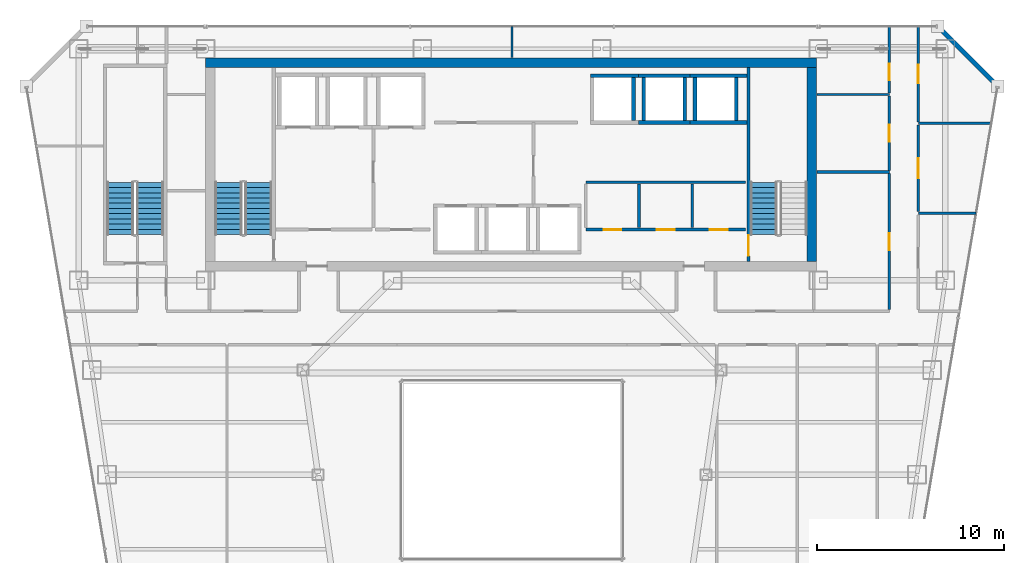
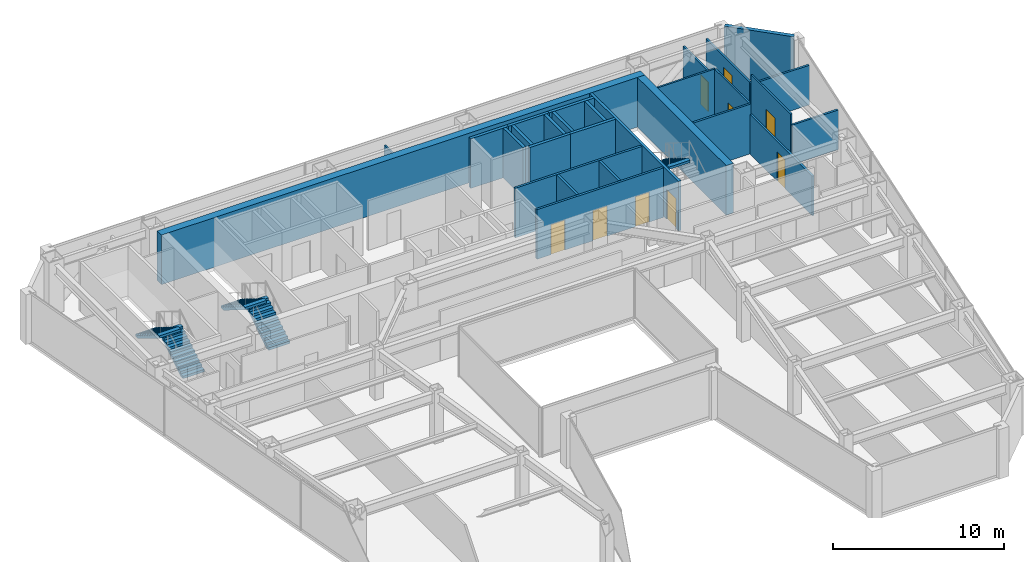
# One storey, part 32 of 36: 28 walls, 9 doors, 5 stair flights, 9 openings, 3 elements without a shape of their own.
"""IFC4 building model written with IfcOpenShell, lengths in metres."""

from ifc_helpers import new_model, si_unit, direction, frame, frame_2d, origin, place, context, subcontext, project, spatial, polyline, rectangle, outline, extrude, material, layer, layer_set, type_object, element, fill, aggregate, save


model = new_model("IFC4")

# Units and contexts
model_context = context("Model", 3, precision=1e-05, world=origin(), true_north=direction((0.0, 1.0)))
body_context = subcontext(model_context, "Body", "Model", "MODEL_VIEW")
ifc_project = project(units=[si_unit("LENGTHUNIT", "METRE"), si_unit("AREAUNIT", "SQUARE_METRE"), si_unit("VOLUMEUNIT", "CUBIC_METRE"), si_unit("PLANEANGLEUNIT", "RADIAN"), si_unit("MASSUNIT", "GRAM", prefix="KILO")], contexts=[model_context])

# Site, building, storey
site_placement = place(None, origin())
site = spatial("IfcSite", under=ifc_project, at=site_placement, CompositionType="ELEMENT")
building_placement = place(site_placement, origin())
building = spatial("IfcBuilding", under=site, at=building_placement, Name="Saevonmaru Cultural Tower", CompositionType="ELEMENT")
storey_placement = place(building_placement, frame((0.0, 0.0, 171.39990234375)))
storey = spatial("IfcBuildingStorey", under=building, at=storey_placement, Name="L38", CompositionType="ELEMENT", Elevation=171.39990234375)

# Walls
ifc_material_1 = material(Name="Concrete C60/75", Category="concrete")
ifc_layer_1 = layer(ifc_material_1, 0.5, Name="Concrete C60/75")
ifc_layer_set_1 = layer_set([ifc_layer_1], Name="Concrete C60/75")
wall_type_1 = type_object("IfcWallType", Name="WL-CORE-500", PredefinedType="SHEAR", material=ifc_layer_set_1)
wall_1_placement = place(storey_placement, frame((13.60009765625, 54.050048828125, 0.0), z_axis=(0.0, 0.0, 1.0), x_axis=(1.0, 0.0, 0.0)))
element("IfcWall", 1, at=wall_1_placement, inside=storey, type_object=wall_type_1, Name="L38 Tower RC core shear wall N", PredefinedType="SHEAR", context=body_context, shape_type="SweptSolid", body=[
    extrude(rectangle(XDim=32.699951171875, YDim=0.5, at=frame_2d((16.35009765625, 0.0))), origin(), (0.0, 0.0, 1.0), 3.550048828125),
])
wall_2_placement = place(storey_placement, frame((46.050048828125, 43.39990234375, 0.0), z_axis=(0.0, 0.0, 1.0), x_axis=(0.0, 1.0, 0.0)))
element("IfcWall", 2, at=wall_2_placement, inside=storey, type_object=wall_type_1, Name="L38 Tower RC core shear wall E", PredefinedType="SHEAR", context=body_context, shape_type="SweptSolid", body=[
    extrude(rectangle(XDim=10.400146484375, YDim=0.5, at=frame_2d((5.2001953125, 0.0))), origin(), (0.0, 0.0, 1.0), 3.550048828125),
])

# Wall, openings, doors
ifc_material_2 = material(Name="Gypsum Fireboard Partition", Category="gypsum")
ifc_layer_2 = layer(ifc_material_2, 0.14990234375, Name="Gypsum Fireboard Partition")
ifc_layer_set_2 = layer_set([ifc_layer_2], Name="Gypsum Fireboard Partition")
wall_type_2 = type_object("IfcWallType", Name="WL-CORE-PART-150", PredefinedType="PARTITIONING", material=ifc_layer_set_2)
wall_3_placement = place(storey_placement, frame((33.949951171875, 45.1201171875, 0.0), z_axis=(0.0, 0.0, 1.0), x_axis=(1.0, 0.0, 0.0)))
wall_3 = element("IfcWall", 3, at=wall_3_placement, inside=storey, type_object=wall_type_2, Name="L38 Core Utility South Wall", PredefinedType="PARTITIONING", context=body_context, shape_type="SweptSolid", body=[
    extrude(rectangle(XDim=8.550048828125, YDim=0.14990234375, at=frame_2d((4.27490234375, 0.0))), origin(), (0.0, 0.0, 1.0), 3.550048828125),
])
opening_1_placement = place(wall_3_placement, frame((0.949951171875, 0.0, 0.0)))
opening_1 = element("IfcOpeningElement", 4, at=opening_1_placement, cuts=wall_3, Name="Opening FD-4", PredefinedType="OPENING", context=body_context, shape_type="SweptSolid", body=[
    extrude(rectangle(XDim=0.949951171875, YDim=2.14990234375, at=frame_2d((0.47509765625, 1.074951171875))), frame((0.0, 0.0849609375, 0.0), z_axis=(0.0, -1.0, 0.0), x_axis=(1.0, 0.0, 0.0)), (0.0, 0.0, 1.0), 0.169921875),
])
opening_2_placement = place(wall_3_placement, frame((3.800048828125, 0.0, 0.0)))
opening_2 = element("IfcOpeningElement", 5, at=opening_2_placement, cuts=wall_3, Name="Opening FD-4", PredefinedType="OPENING", context=body_context, shape_type="SweptSolid", body=[
    extrude(rectangle(XDim=0.949951171875, YDim=2.14990234375, at=frame_2d((0.47509765625, 1.074951171875))), frame((0.0, 0.0849609375, 0.0), z_axis=(0.0, -1.0, 0.0), x_axis=(1.0, 0.0, 0.0)), (0.0, 0.0, 1.0), 0.169921875),
])
opening_3_placement = place(wall_3_placement, frame((6.64990234375, 0.0, 0.0)))
opening_3 = element("IfcOpeningElement", 6, at=opening_3_placement, cuts=wall_3, Name="Opening FD-4", PredefinedType="OPENING", context=body_context, shape_type="SweptSolid", body=[
    extrude(rectangle(XDim=0.949951171875, YDim=2.14990234375, at=frame_2d((0.47509765625, 1.074951171875))), frame((0.0, 0.0849609375, 0.0), z_axis=(0.0, -1.0, 0.0), x_axis=(1.0, 0.0, 0.0)), (0.0, 0.0, 1.0), 0.169921875),
])
ifc_material_3 = material(Name="Satin Bronze Anodised Aluminium", Category="aluminium")
door_type_1 = type_object("IfcDoorType", Name="DR-FD60-950", OperationType="SINGLE_SWING_LEFT", PredefinedType="DOOR", material=ifc_material_3)
door_1_placement = place(opening_1_placement, origin())
door_1 = element("IfcDoor", 7, at=door_1_placement, inside=storey, type_object=door_type_1, Name="L38 Meter Plant Door", OperationType="SINGLE_SWING_LEFT", OverallHeight=2.14990234375, OverallWidth=0.949951171875, PredefinedType="DOOR", context=body_context, shape_type="SweptSolid", body=[
    extrude(rectangle(XDim=0.949951171875, YDim=2.14990234375, at=frame_2d((0.47509765625, 1.074951171875))), frame((0.0, 0.02490234375, 0.0), z_axis=(0.0, -1.0, 0.0), x_axis=(1.0, 0.0, 0.0)), (0.0, 0.0, 1.0), 0.050048828125),
])
fill(opening_1, door_1)
door_2_placement = place(opening_2_placement, origin())
door_2 = element("IfcDoor", 8, at=door_2_placement, inside=storey, type_object=door_type_1, Name="L38 AV Rack Plant Door", OperationType="SINGLE_SWING_LEFT", OverallHeight=2.14990234375, OverallWidth=0.949951171875, PredefinedType="DOOR", context=body_context, shape_type="SweptSolid", body=[
    extrude(rectangle(XDim=0.949951171875, YDim=2.14990234375, at=frame_2d((0.47509765625, 1.074951171875))), frame((0.0, 0.02490234375, 0.0), z_axis=(0.0, -1.0, 0.0), x_axis=(1.0, 0.0, 0.0)), (0.0, 0.0, 1.0), 0.050048828125),
])
fill(opening_2, door_2)
door_3_placement = place(opening_3_placement, origin())
door_3 = element("IfcDoor", 9, at=door_3_placement, inside=storey, type_object=door_type_1, Name="L38 Archive Supply Storage Door", OperationType="SINGLE_SWING_LEFT", OverallHeight=2.14990234375, OverallWidth=0.949951171875, PredefinedType="DOOR", context=body_context, shape_type="SweptSolid", body=[
    extrude(rectangle(XDim=0.949951171875, YDim=2.14990234375, at=frame_2d((0.47509765625, 1.074951171875))), frame((0.0, 0.02490234375, 0.0), z_axis=(0.0, -1.0, 0.0), x_axis=(1.0, 0.0, 0.0)), (0.0, 0.0, 1.0), 0.050048828125),
])
fill(opening_3, door_3)

# Walls
wall_4_placement = place(storey_placement, frame((33.949951171875, 47.64990234375, 0.0), z_axis=(0.0, 0.0, 1.0), x_axis=(1.0, 0.0, 0.0)))
element("IfcWall", 10, at=wall_4_placement, inside=storey, type_object=wall_type_2, Name="L38 Core Utility North Wall", PredefinedType="PARTITIONING", context=body_context, shape_type="SweptSolid", body=[
    extrude(rectangle(XDim=8.550048828125, YDim=0.14990234375, at=frame_2d((4.27490234375, 0.0))), origin(), (0.0, 0.0, 1.0), 3.550048828125),
])
for number, where, z_axis, x_axis, name in (
    (11, (36.800048828125, 45.219970703125, 0.0), (0.0, 0.0, 1.0), (0.0, 1.0, 0.0), "L38 Utility Divider 1"),
    (12, (39.64990234375, 45.219970703125, 0.0), (0.0, 0.0, 1.0), (0.0, 1.0, 0.0), "L38 Utility Divider 2"),
):
    element("IfcWall", number, at=place(storey_placement, frame(where, z_axis=z_axis, x_axis=x_axis)), inside=storey, type_object=wall_type_2, Name=name, PredefinedType="PARTITIONING", context=body_context, shape_type="SweptSolid", body=[
        extrude(rectangle(XDim=2.330078125, YDim=0.14990234375, at=frame_2d((1.1650390625, 0.0))), origin(), (0.0, 0.0, 1.0), 3.550048828125),
    ])
ifc_material_4 = material(Name="Granite-Clad Precast Concrete C40/50", Category="masonry")
ifc_layer_3 = layer(ifc_material_4, 0.260009765625, Name="Granite-Clad Precast Concrete C40/50")
ifc_layer_set_3 = layer_set([ifc_layer_3], Name="Granite-Clad Precast Concrete C40/50")
wall_type_3 = type_object("IfcWallType", Name="WL-EXT-SPANDREL-260", PredefinedType="STANDARD", material=ifc_layer_set_3)
wall_5_placement = place(storey_placement, frame((55.886962890625, 52.9130859375, 0.0), z_axis=(0.0, 0.0, 1.0), x_axis=(-0.707106781187, 0.707106781187, 0.0)))
element("IfcWall", 13, at=wall_5_placement, inside=storey, type_object=wall_type_3, Name="L38 Chamfer Corner Spandrel Wall E9", PredefinedType="STANDARD", context=body_context, shape_type="SweptSolid", body=[
    extrude(rectangle(XDim=4.205810546875, YDim=0.260009765625, at=frame_2d((2.10302734375, 0.0))), origin(), (0.0, 0.0, 1.0), 3.550048828125),
])
ifc_layer_4 = layer(ifc_material_2, 0.1201171875, Name="Gypsum Fireboard Partition")
ifc_layer_set_4 = layer_set([ifc_layer_4], Name="Gypsum Fireboard Partition")
wall_type_4 = type_object("IfcWallType", Name="WL-PART-GYP-120", PredefinedType="PARTITIONING", material=ifc_layer_set_4)
wall_6_placement = place(storey_placement, frame((46.320068359375, 52.35009765625, 0.0), z_axis=(0.0, 0.0, 1.0), x_axis=(1.0, 0.0, 0.0)))
element("IfcWall", 14, at=wall_6_placement, inside=storey, type_object=wall_type_4, Name="L38 North-East Panorama South Wall", PredefinedType="PARTITIONING", context=body_context, shape_type="SweptSolid", body=[
    extrude(rectangle(XDim=3.8798828125, YDim=0.1201171875, at=frame_2d((1.93994140625, 0.0))), origin(), (0.0, 0.0, 1.0), 3.550048828125),
])
wall_7_placement = place(storey_placement, frame((30.0, 54.320068359375, 0.0), z_axis=(0.0, 0.0, 1.0), x_axis=(0.0, 1.0, 0.0)))
element("IfcWall", 15, at=wall_7_placement, inside=storey, type_object=wall_type_4, Name="L38 North Panorama Center Split", PredefinedType="PARTITIONING", context=body_context, shape_type="SweptSolid", body=[
    extrude(rectangle(XDim=1.675048828125, YDim=0.1201171875, at=frame_2d((0.83740234375, 0.0))), origin(), (0.0, 0.0, 1.0), 2.93505859375),
])

# Wall, opening, door
wall_8_placement = place(storey_placement, frame((50.199951171875, 48.2900390625, 0.0), z_axis=(0.0, 0.0, 1.0), x_axis=(0.0, 1.0, 0.0)))
wall_8 = element("IfcWall", 16, at=wall_8_placement, inside=storey, type_object=wall_type_4, Name="L38 Digital Media Classroom Corridor Wall", PredefinedType="PARTITIONING", context=body_context, shape_type="SweptSolid", body=[
    extrude(rectangle(XDim=3.97998046875, YDim=0.1201171875, at=frame_2d((1.989990234375, 0.0))), origin(), (0.0, 0.0, 1.0), 3.550048828125),
])
opening_4_placement = place(wall_8_placement, frame((1.5400390625, 0.0, 0.0)))
opening_4 = element("IfcOpeningElement", 17, at=opening_4_placement, cuts=wall_8, Name="Opening ID-2", PredefinedType="OPENING", context=body_context, shape_type="SweptSolid", body=[
    extrude(rectangle(XDim=0.89990234375, YDim=2.10009765625, at=frame_2d((0.449951171875, 1.050048828125))), frame((0.0, 0.070068359375, 0.0), z_axis=(0.0, -1.0, 0.0), x_axis=(1.0, 0.0, 0.0)), (0.0, 0.0, 1.0), 0.14013671875),
])
ifc_material_5 = material(Name="Acoustic Stained Oak Timber", Category="wood")
door_type_2 = type_object("IfcDoorType", Name="DR-INT-900", OperationType="SINGLE_SWING_RIGHT", PredefinedType="DOOR", material=ifc_material_5)
door_4_placement = place(opening_4_placement, origin())
door_4 = element("IfcDoor", 18, at=door_4_placement, inside=storey, type_object=door_type_2, Name="L38 Digital Media Classroom Door", OperationType="SINGLE_SWING_LEFT", OverallHeight=2.10009765625, OverallWidth=0.89990234375, PredefinedType="DOOR", context=body_context, shape_type="SweptSolid", body=[
    extrude(rectangle(XDim=0.89990234375, YDim=2.10009765625, at=frame_2d((0.449951171875, 1.050048828125))), frame((0.0, 0.02490234375, 0.0), z_axis=(0.0, -1.0, 0.0), x_axis=(1.0, 0.0, 0.0)), (0.0, 0.0, 1.0), 0.050048828125),
])
fill(opening_4, door_4)

wall_9_placement = place(storey_placement, frame((50.199951171875, 52.429931640625, 0.0), z_axis=(0.0, 0.0, 1.0), x_axis=(0.0, 1.0, 0.0)))
wall_9 = element("IfcWall", 19, at=wall_9_placement, inside=storey, type_object=wall_type_4, Name="L38 Design Seminar Classroom Corridor Wall", PredefinedType="PARTITIONING", context=body_context, shape_type="SweptSolid", body=[
    extrude(rectangle(XDim=3.565185546875, YDim=0.1201171875, at=frame_2d((1.78271484375, 0.0))), origin(), (0.0, 0.0, 1.0), 2.93505859375),
])
opening_5_placement = place(wall_9_placement, frame((0.672119140625, 0.0, 0.0)))
opening_5 = element("IfcOpeningElement", 20, at=opening_5_placement, cuts=wall_9, Name="Opening ID-2", PredefinedType="OPENING", context=body_context, shape_type="SweptSolid", body=[
    extrude(rectangle(XDim=0.89990234375, YDim=2.10009765625, at=frame_2d((0.449951171875, 1.050048828125))), frame((0.0, 0.070068359375, 0.0), z_axis=(0.0, -1.0, 0.0), x_axis=(1.0, 0.0, 0.0)), (0.0, 0.0, 1.0), 0.14013671875),
])
door_5_placement = place(opening_5_placement, origin())
door_5 = element("IfcDoor", 21, at=door_5_placement, inside=storey, type_object=door_type_2, Name="L38 Design Seminar Classroom Door", OperationType="SINGLE_SWING_RIGHT", OverallHeight=2.10009765625, OverallWidth=0.89990234375, PredefinedType="DOOR", context=body_context, shape_type="SweptSolid", body=[
    extrude(rectangle(XDim=0.89990234375, YDim=2.10009765625, at=frame_2d((0.449951171875, 1.050048828125))), frame((0.0, 0.02490234375, 0.0), z_axis=(0.0, -1.0, 0.0), x_axis=(1.0, 0.0, 0.0)), (0.0, 0.0, 1.0), 0.050048828125),
])
fill(opening_5, door_5)

wall_10_placement = place(storey_placement, frame((51.75, 46.08740234375, 0.0), z_axis=(0.0, 0.0, 1.0), x_axis=(0.0, 1.0, 0.0)))
wall_10 = element("IfcWall", 22, at=wall_10_placement, inside=storey, type_object=wall_type_4, Name="L38 Cartographic Study Library Corridor Wall", PredefinedType="PARTITIONING", context=body_context, shape_type="SweptSolid", body=[
    extrude(rectangle(XDim=4.625, YDim=0.1201171875, at=frame_2d((2.3125, 0.0))), origin(), (0.0, 0.0, 1.0), 3.550048828125),
])
opening_6_placement = place(wall_10_placement, frame((1.7880859375, 0.0, 0.0)))
opening_6 = element("IfcOpeningElement", 23, at=opening_6_placement, cuts=wall_10, Name="Opening ID-1", PredefinedType="OPENING", context=body_context, shape_type="SweptSolid", body=[
    extrude(rectangle(XDim=1.050048828125, YDim=2.14990234375, at=frame_2d((0.52490234375, 1.074951171875))), frame((0.0, 0.070068359375, 0.0), z_axis=(0.0, -1.0, 0.0), x_axis=(1.0, 0.0, 0.0)), (0.0, 0.0, 1.0), 0.14013671875),
])
door_type_3 = type_object("IfcDoorType", Name="DR-INT-1050", OperationType="SINGLE_SWING_LEFT", PredefinedType="DOOR", material=ifc_material_3)
door_6_placement = place(opening_6_placement, origin())
door_6 = element("IfcDoor", 24, at=door_6_placement, inside=storey, type_object=door_type_3, Name="L38 Cartographic Study Library Door", OperationType="SINGLE_SWING_RIGHT", OverallHeight=2.14990234375, OverallWidth=1.050048828125, PredefinedType="DOOR", context=body_context, shape_type="SweptSolid", body=[
    extrude(rectangle(XDim=1.050048828125, YDim=2.14990234375, at=frame_2d((0.52490234375, 1.074951171875))), frame((0.0, 0.02490234375, 0.0), z_axis=(0.0, -1.0, 0.0), x_axis=(1.0, 0.0, 0.0)), (0.0, 0.0, 1.0), 0.050048828125),
])
fill(opening_6, door_6)

wall_11_placement = place(storey_placement, frame((51.75, 50.887451171875, 0.0), z_axis=(0.0, 0.0, 1.0), x_axis=(0.0, 1.0, 0.0)))
wall_11 = element("IfcWall", 25, at=wall_11_placement, inside=storey, type_object=wall_type_4, Name="L38 Panoramic Salon Restaurant Corridor Wall", PredefinedType="PARTITIONING", context=body_context, shape_type="SweptSolid", body=[
    extrude(rectangle(XDim=5.107666015625, YDim=0.1201171875, at=frame_2d((2.5537109375, 0.0))), origin(), (0.0, 0.0, 1.0), 2.93505859375),
])
opening_7_placement = place(wall_11_placement, frame((2.053955078125, 0.0, 0.0)))
opening_7 = element("IfcOpeningElement", 26, at=opening_7_placement, cuts=wall_11, Name="Opening ID-1B", PredefinedType="OPENING", context=body_context, shape_type="SweptSolid", body=[
    extrude(rectangle(XDim=1.0, YDim=2.14990234375, at=frame_2d((0.5, 1.074951171875))), frame((0.0, 0.070068359375, 0.0), z_axis=(0.0, -1.0, 0.0), x_axis=(1.0, 0.0, 0.0)), (0.0, 0.0, 1.0), 0.14013671875),
])
door_type_4 = type_object("IfcDoorType", Name="DR-INT-1000", OperationType="SINGLE_SWING_RIGHT", PredefinedType="DOOR", material=ifc_material_5)
door_7_placement = place(opening_7_placement, origin())
door_7 = element("IfcDoor", 27, at=door_7_placement, inside=storey, type_object=door_type_4, Name="L38 Panoramic Salon Restaurant Door", OperationType="SINGLE_SWING_LEFT", OverallHeight=2.14990234375, OverallWidth=1.0, PredefinedType="DOOR", context=body_context, shape_type="SweptSolid", body=[
    extrude(rectangle(XDim=1.0, YDim=2.14990234375, at=frame_2d((0.5, 1.074951171875))), frame((0.0, 0.02490234375, 0.0), z_axis=(0.0, -1.0, 0.0), x_axis=(1.0, 0.0, 0.0)), (0.0, 0.0, 1.0), 0.050048828125),
])
fill(opening_7, door_7)

# Walls
ifc_layer_5 = layer(ifc_material_2, 0.135009765625, Name="Gypsum Fireboard Partition")
ifc_layer_set_5 = layer_set([ifc_layer_5], Name="Gypsum Fireboard Partition")
wall_type_5 = type_object("IfcWallType", Name="WL-PART-GYP-135", PredefinedType="PARTITIONING", material=ifc_layer_set_5)
wall_12_placement = place(storey_placement, frame((51.75, 46.0, 0.0), z_axis=(0.0, 0.0, 1.0), x_axis=(1.0, 0.0, 0.0)))
element("IfcWall", 28, at=wall_12_placement, inside=storey, type_object=wall_type_5, Name="L38 NE Studio Divider 1", PredefinedType="PARTITIONING", context=body_context, shape_type="SweptSolid", body=[
    extrude(rectangle(XDim=3.09375, YDim=0.135009765625, at=frame_2d((1.546875, 0.0))), origin(), (0.0, 0.0, 1.0), 2.835205078125),
])
wall_13_placement = place(storey_placement, frame((51.75, 50.800048828125, 0.0), z_axis=(0.0, 0.0, 1.0), x_axis=(1.0, 0.0, 0.0)))
element("IfcWall", 29, at=wall_13_placement, inside=storey, type_object=wall_type_5, Name="L38 NE Studio Divider 2", PredefinedType="PARTITIONING", context=body_context, shape_type="SweptSolid", body=[
    extrude(rectangle(XDim=3.90625, YDim=0.135009765625, at=frame_2d((1.953125, 0.0))), origin(), (0.0, 0.0, 1.0), 2.835205078125),
])
ifc_layer_6 = layer(ifc_material_2, 0.139892578125, Name="Gypsum Fireboard Partition")
ifc_layer_set_6 = layer_set([ifc_layer_6], Name="Gypsum Fireboard Partition")
wall_type_6 = type_object("IfcWallType", Name="WL-PART-WET-140", PredefinedType="PARTITIONING", material=ifc_layer_set_6)
wall_14_placement = place(storey_placement, frame((46.320068359375, 48.199951171875, 0.0), z_axis=(0.0, 0.0, 1.0), x_axis=(1.0, 0.0, 0.0)))
element("IfcWall", 30, at=wall_14_placement, inside=storey, type_object=wall_type_6, Name="L38 Washroom North Wall", PredefinedType="PARTITIONING", context=body_context, shape_type="SweptSolid", body=[
    extrude(rectangle(XDim=3.8798828125, YDim=0.139892578125, at=frame_2d((1.93994140625, 0.0))), origin(), (0.0, 0.0, 1.0), 3.550048828125),
])

# Wall, opening, door
wall_15_placement = place(storey_placement, frame((50.199951171875, 40.840087890625, 0.0), z_axis=(0.0, 0.0, 1.0), x_axis=(0.0, 1.0, 0.0)))
wall_15 = element("IfcWall", 31, at=wall_15_placement, inside=storey, type_object=wall_type_6, Name="L38 Washroom Corridor Wall", PredefinedType="PARTITIONING", context=body_context, shape_type="SweptSolid", body=[
    extrude(rectangle(XDim=7.27001953125, YDim=0.139892578125, at=frame_2d((3.635009765625, 0.0))), origin(), (0.0, 0.0, 1.0), 2.835205078125),
])
opening_8_placement = place(wall_15_placement, frame((3.18505859375, 0.0, 0.0)))
opening_8 = element("IfcOpeningElement", 32, at=opening_8_placement, cuts=wall_15, Name="Opening ID-2", PredefinedType="OPENING", context=body_context, shape_type="SweptSolid", body=[
    extrude(rectangle(XDim=0.89990234375, YDim=2.10009765625, at=frame_2d((0.449951171875, 1.050048828125))), frame((0.0, 0.080078125, 0.0), z_axis=(0.0, -1.0, 0.0), x_axis=(1.0, 0.0, 0.0)), (0.0, 0.0, 1.0), 0.159912109375),
])
door_8_placement = place(opening_8_placement, origin())
door_8 = element("IfcDoor", 33, at=door_8_placement, inside=storey, type_object=door_type_2, Name="L38 Public Accessible Washrooms Door", OperationType="SINGLE_SWING_RIGHT", OverallHeight=2.10009765625, OverallWidth=0.89990234375, PredefinedType="DOOR", context=body_context, shape_type="SweptSolid", body=[
    extrude(rectangle(XDim=0.89990234375, YDim=2.10009765625, at=frame_2d((0.449951171875, 1.050048828125))), frame((0.0, 0.02490234375, 0.0), z_axis=(0.0, -1.0, 0.0), x_axis=(1.0, 0.0, 0.0)), (0.0, 0.0, 1.0), 0.050048828125),
])
fill(opening_8, door_8)

# Walls
ifc_material_6 = material(Name="Concrete C40/50", Category="concrete")
ifc_layer_7 = layer(ifc_material_6, 0.199951171875, Name="Concrete C40/50")
ifc_layer_set_7 = layer_set([ifc_layer_7], Name="Concrete C40/50")
wall_type_7 = type_object("IfcWallType", Name="WL-SHAFT-200", PredefinedType="SHEAR", material=ifc_layer_set_7)
wall_16_placement = place(storey_placement, frame((34.199951171875, 53.35009765625, 0.0), z_axis=(0.0, 0.0, 1.0), x_axis=(1.0, 0.0, 0.0)))
element("IfcWall", 34, at=wall_16_placement, inside=storey, type_object=wall_type_7, Name="L38 Lift PL-H1 Hoistway Wall N", PredefinedType="SHEAR", context=body_context, shape_type="SweptSolid", body=[
    extrude(rectangle(XDim=2.574951171875, YDim=0.199951171875, at=frame_2d((1.28759765625, 0.0))), origin(), (0.0, 0.0, 1.0), 3.550048828125),
])
wall_17_placement = place(storey_placement, frame((36.5, 50.949951171875, 0.0), z_axis=(0.0, 0.0, 1.0), x_axis=(0.0, 1.0, 0.0)))
element("IfcWall", 35, at=wall_17_placement, inside=storey, type_object=wall_type_7, Name="L38 Lift PL-H1 Hoistway Wall E", PredefinedType="SHEAR", context=body_context, shape_type="SweptSolid", body=[
    extrude(rectangle(XDim=2.300048828125, YDim=0.199951171875, at=frame_2d((1.14990234375, 0.0))), origin(), (0.0, 0.0, 1.0), 3.550048828125),
])
for number, where, z_axis, x_axis, name in (
    (36, (36.77490234375, 50.85009765625, 0.0), (0.0, 0.0, 1.0), (1.0, 0.0, 0.0), "L38 Lift PL-H2 Hoistway Wall S"),
    (37, (36.77490234375, 53.35009765625, 0.0), (0.0, 0.0, 1.0), (1.0, 0.0, 0.0), "L38 Lift PL-H2 Hoistway Wall N"),
):
    element("IfcWall", number, at=place(storey_placement, frame(where, z_axis=z_axis, x_axis=x_axis)), inside=storey, type_object=wall_type_7, Name=name, PredefinedType="SHEAR", context=body_context, shape_type="SweptSolid", body=[
        extrude(rectangle(XDim=2.75, YDim=0.199951171875, at=frame_2d((1.375, 0.0))), origin(), (0.0, 0.0, 1.0), 3.550048828125),
    ])
for number, where, z_axis, x_axis, name in (
    (38, (37.050048828125, 50.949951171875, 0.0), (0.0, 0.0, 1.0), (0.0, 1.0, 0.0), "L38 Lift PL-H2 Hoistway Wall W"),
    (39, (39.25, 50.949951171875, 0.0), (0.0, 0.0, 1.0), (0.0, 1.0, 0.0), "L38 Lift PL-H2 Hoistway Wall E"),
):
    element("IfcWall", number, at=place(storey_placement, frame(where, z_axis=z_axis, x_axis=x_axis)), inside=storey, type_object=wall_type_7, Name=name, PredefinedType="SHEAR", context=body_context, shape_type="SweptSolid", body=[
        extrude(rectangle(XDim=2.300048828125, YDim=0.199951171875, at=frame_2d((1.14990234375, 0.0))), origin(), (0.0, 0.0, 1.0), 3.550048828125),
    ])
for number, where, z_axis, x_axis, name in (
    (40, (39.52490234375, 50.85009765625, 0.0), (0.0, 0.0, 1.0), (1.0, 0.0, 0.0), "L38 Lift PL-H3 Hoistway Wall S"),
    (41, (39.52490234375, 53.35009765625, 0.0), (0.0, 0.0, 1.0), (1.0, 0.0, 0.0), "L38 Lift PL-H3 Hoistway Wall N"),
):
    element("IfcWall", number, at=place(storey_placement, frame(where, z_axis=z_axis, x_axis=x_axis)), inside=storey, type_object=wall_type_7, Name=name, PredefinedType="SHEAR", context=body_context, shape_type="SweptSolid", body=[
        extrude(rectangle(XDim=3.045166015625, YDim=0.199951171875, at=frame_2d((1.5224609375, 0.0))), origin(), (0.0, 0.0, 1.0), 3.550048828125),
    ])
for number, where, z_axis, x_axis, name in (
    (42, (39.800048828125, 50.949951171875, 0.0), (0.0, 0.0, 1.0), (0.0, 1.0, 0.0), "L38 Lift PL-H3 Hoistway Wall W"),
    (43, (42.0, 50.949951171875, 0.0), (0.0, 0.0, 1.0), (0.0, 1.0, 0.0), "L38 Lift PL-H3 Hoistway Wall E"),
):
    element("IfcWall", number, at=place(storey_placement, frame(where, z_axis=z_axis, x_axis=x_axis)), inside=storey, type_object=wall_type_7, Name=name, PredefinedType="SHEAR", context=body_context, shape_type="SweptSolid", body=[
        extrude(rectangle(XDim=2.300048828125, YDim=0.199951171875, at=frame_2d((1.14990234375, 0.0))), origin(), (0.0, 0.0, 1.0), 3.550048828125),
    ])

# Wall, opening, door
ifc_layer_8 = layer(ifc_material_6, 0.179931640625, Name="Concrete C40/50")
ifc_layer_set_8 = layer_set([ifc_layer_8], Name="Concrete C40/50")
wall_type_8 = type_object("IfcWallType", Name="WL-STSHAFT-180", PredefinedType="SHEAR", material=ifc_layer_set_8)
wall_18_placement = place(storey_placement, frame((42.659912109375, 53.800048828125, 0.0), z_axis=(0.0, 0.0, 1.0), x_axis=(0.0, -1.0, 0.0)))
wall_18 = element("IfcWall", 44, at=wall_18_placement, inside=storey, type_object=wall_type_8, Name="L38 Stair ST-2 Structural Shaft Wall 1", PredefinedType="SHEAR", context=body_context, shape_type="SweptSolid", body=[
    extrude(rectangle(XDim=10.400146484375, YDim=0.179931640625, at=frame_2d((5.2001953125, 0.0))), origin(), (0.0, 0.0, 1.0), 3.550048828125),
])
opening_9_placement = place(wall_18_placement, frame((8.989990234375, 0.0, 0.0)))
opening_9 = element("IfcOpeningElement", 45, at=opening_9_placement, cuts=wall_18, Name="Opening FD-2", PredefinedType="OPENING", context=body_context, shape_type="SweptSolid", body=[
    extrude(rectangle(XDim=1.10009765625, YDim=2.14990234375, at=frame_2d((0.550048828125, 1.074951171875))), frame((0.0, 0.10009765625, 0.0), z_axis=(0.0, -1.0, 0.0), x_axis=(1.0, 0.0, 0.0)), (0.0, 0.0, 1.0), 0.199951171875),
])
door_type_5 = type_object("IfcDoorType", Name="DR-FD60-1100", OperationType="SINGLE_SWING_LEFT", PredefinedType="DOOR", material=ifc_material_3)
door_9_placement = place(opening_9_placement, origin())
door_9 = element("IfcDoor", 46, at=door_9_placement, inside=storey, type_object=door_type_5, Name="L38 Protected Stair ST-2 Fire Door", OperationType="SINGLE_SWING_LEFT", OverallHeight=2.14990234375, OverallWidth=1.10009765625, PredefinedType="DOOR", context=body_context, shape_type="SweptSolid", body=[
    extrude(rectangle(XDim=1.10009765625, YDim=2.14990234375, at=frame_2d((0.550048828125, 1.074951171875))), frame((0.0, 0.02490234375, 0.0), z_axis=(0.0, -1.0, 0.0), x_axis=(1.0, 0.0, 0.0)), (0.0, 0.0, 1.0), 0.050048828125),
])
fill(opening_9, door_9)

# Stair, stair flights
stair_type = type_object("IfcStairType", Name="STR-DOGLEG-RC", PredefinedType="HALF_TURN_STAIR", material=ifc_material_6)
stair_1_placement = place(storey_placement, origin())
stair_1 = element("IfcStair", 47, at=stair_1_placement, inside=storey, type_object=stair_type, Name="L38 Protected exit stair ST-1", PredefinedType="HALF_TURN_STAIR")
ifc_material_7 = material(Name="Precast concrete C40/50", Category="concrete")
stair_flight_type = type_object("IfcStairFlightType", Name="STF-PRECAST-180", PredefinedType="STRAIGHT", material=ifc_material_7)
stair_flight_1_placement = place(storey_placement, frame((16.425048828125, 44.85009765625, 0.0), z_axis=(0.0, 0.0, 1.0), x_axis=(0.0, 1.0, 0.0)))
stair_flight_1 = element("IfcStairFlight", 48, at=stair_flight_1_placement, type_object=stair_flight_type, Name="ST-1-L38 flight 1", NumberOfRisers=11, NumberOfTreads=10, PredefinedType="STRAIGHT", RiserHeight=0.172727273, TreadLength=0.28, context=body_context, shape_type="SweptSolid", body=[
    extrude(outline(polyline([(0.0, 0.0), (0.0, 0.172607421875), (0.280029296875, 0.172607421875), (0.280029296875, 0.345458984375), (0.56005859375, 0.345458984375), (0.56005859375, 0.51806640625), (0.840087890625, 0.51806640625), (0.840087890625, 0.69091796875), (1.1201171875, 0.69091796875), (1.1201171875, 0.863525390625), (1.39990234375, 0.863525390625), (1.39990234375, 1.036376953125), (1.679931640625, 1.036376953125), (1.679931640625, 1.208984375), (1.9599609375, 1.208984375), (1.9599609375, 1.3818359375), (2.239990234375, 1.3818359375), (2.239990234375, 1.554443359375), (2.52001953125, 1.554443359375), (2.52001953125, 1.727294921875), (2.800048828125, 1.727294921875), (2.800048828125, 1.89990234375), (2.800048828125, 1.551025390625), (0.285400390625, 0.0), (0.0, 0.0)])), frame((0.0, 0.72509765625, 0.0), z_axis=(0.0, -1.0, 0.0), x_axis=(1.0, 0.0, 0.0)), (0.0, 0.0, 1.0), 1.449951171875),
])
stair_flight_2_placement = place(storey_placement, frame((14.824951171875, 47.64990234375, 1.900146484375), z_axis=(0.0, 0.0, 1.0), x_axis=(0.0, -1.0, 0.0)))
stair_flight_2 = element("IfcStairFlight", 49, at=stair_flight_2_placement, type_object=stair_flight_type, Name="ST-1-L38 flight 2", NumberOfRisers=11, NumberOfTreads=10, PredefinedType="STRAIGHT", RiserHeight=0.172727273, TreadLength=0.28, context=body_context, shape_type="SweptSolid", body=[
    extrude(outline(polyline([(0.0, 0.0), (0.0, 0.172607421875), (0.280029296875, 0.172607421875), (0.280029296875, 0.345458984375), (0.56005859375, 0.345458984375), (0.56005859375, 0.51806640625), (0.840087890625, 0.51806640625), (0.840087890625, 0.69091796875), (1.1201171875, 0.69091796875), (1.1201171875, 0.863525390625), (1.39990234375, 0.863525390625), (1.39990234375, 1.036376953125), (1.679931640625, 1.036376953125), (1.679931640625, 1.208984375), (1.9599609375, 1.208984375), (1.9599609375, 1.3818359375), (2.239990234375, 1.3818359375), (2.239990234375, 1.554443359375), (2.52001953125, 1.554443359375), (2.52001953125, 1.727294921875), (2.800048828125, 1.727294921875), (2.800048828125, 1.89990234375), (2.800048828125, 1.551025390625), (0.285400390625, 0.0), (0.0, 0.0)])), frame((0.0, 0.72509765625, 0.0), z_axis=(0.0, -1.0, 0.0), x_axis=(1.0, 0.0, 0.0)), (0.0, 0.0, 1.0), 1.449951171875),
])
aggregate(stair_1, [stair_flight_1, stair_flight_2])

# Stair, stair flight
stair_2_placement = place(storey_placement, origin())
stair_2 = element("IfcStair", 50, at=stair_2_placement, inside=storey, type_object=stair_type, Name="L38 Protected exit stair ST-2", PredefinedType="HALF_TURN_STAIR")
stair_flight_3_placement = place(storey_placement, frame((43.47509765625, 47.64990234375, 1.900146484375), z_axis=(0.0, 0.0, 1.0), x_axis=(0.0, -1.0, 0.0)))
stair_flight_3 = element("IfcStairFlight", 51, at=stair_flight_3_placement, type_object=stair_flight_type, Name="ST-2-L38 flight 2", NumberOfRisers=11, NumberOfTreads=10, PredefinedType="STRAIGHT", RiserHeight=0.172727273, TreadLength=0.28, context=body_context, shape_type="SweptSolid", body=[
    extrude(outline(polyline([(0.0, 0.0), (0.0, 0.172607421875), (0.280029296875, 0.172607421875), (0.280029296875, 0.345458984375), (0.56005859375, 0.345458984375), (0.56005859375, 0.51806640625), (0.840087890625, 0.51806640625), (0.840087890625, 0.69091796875), (1.1201171875, 0.69091796875), (1.1201171875, 0.863525390625), (1.39990234375, 0.863525390625), (1.39990234375, 1.036376953125), (1.679931640625, 1.036376953125), (1.679931640625, 1.208984375), (1.9599609375, 1.208984375), (1.9599609375, 1.3818359375), (2.239990234375, 1.3818359375), (2.239990234375, 1.554443359375), (2.52001953125, 1.554443359375), (2.52001953125, 1.727294921875), (2.800048828125, 1.727294921875), (2.800048828125, 1.89990234375), (2.800048828125, 1.551025390625), (0.285400390625, 0.0), (0.0, 0.0)])), frame((0.0, 0.72509765625, 0.0), z_axis=(0.0, -1.0, 0.0), x_axis=(1.0, 0.0, 0.0)), (0.0, 0.0, 1.0), 1.449951171875),
])
aggregate(stair_2, [stair_flight_3])

# Stair, stair flights
stair_3_placement = place(storey_placement, origin())
stair_3 = element("IfcStair", 52, at=stair_3_placement, inside=storey, type_object=stair_type, Name="L38 Protected exit stair ST-3", PredefinedType="HALF_TURN_STAIR")
stair_flight_4_placement = place(storey_placement, frame((10.625, 44.85009765625, 0.0), z_axis=(0.0, 0.0, 1.0), x_axis=(0.0, 1.0, 0.0)))
stair_flight_4 = element("IfcStairFlight", 53, at=stair_flight_4_placement, type_object=stair_flight_type, Name="ST-3-L38 flight 1", NumberOfRisers=11, NumberOfTreads=10, PredefinedType="STRAIGHT", RiserHeight=0.172727273, TreadLength=0.28, context=body_context, shape_type="SweptSolid", body=[
    extrude(outline(polyline([(0.0, 0.0), (0.0, 0.172607421875), (0.280029296875, 0.172607421875), (0.280029296875, 0.345458984375), (0.56005859375, 0.345458984375), (0.56005859375, 0.51806640625), (0.840087890625, 0.51806640625), (0.840087890625, 0.69091796875), (1.1201171875, 0.69091796875), (1.1201171875, 0.863525390625), (1.39990234375, 0.863525390625), (1.39990234375, 1.036376953125), (1.679931640625, 1.036376953125), (1.679931640625, 1.208984375), (1.9599609375, 1.208984375), (1.9599609375, 1.3818359375), (2.239990234375, 1.3818359375), (2.239990234375, 1.554443359375), (2.52001953125, 1.554443359375), (2.52001953125, 1.727294921875), (2.800048828125, 1.727294921875), (2.800048828125, 1.89990234375), (2.800048828125, 1.551025390625), (0.285400390625, 0.0), (0.0, 0.0)])), frame((0.0, 0.72509765625, 0.0), z_axis=(0.0, -1.0, 0.0), x_axis=(1.0, 0.0, 0.0)), (0.0, 0.0, 1.0), 1.449951171875),
])
stair_flight_5_placement = place(storey_placement, frame((9.02490234375, 47.64990234375, 1.900146484375), z_axis=(0.0, 0.0, 1.0), x_axis=(0.0, -1.0, 0.0)))
stair_flight_5 = element("IfcStairFlight", 54, at=stair_flight_5_placement, type_object=stair_flight_type, Name="ST-3-L38 flight 2", NumberOfRisers=11, NumberOfTreads=10, PredefinedType="STRAIGHT", RiserHeight=0.172727273, TreadLength=0.28, context=body_context, shape_type="SweptSolid", body=[
    extrude(outline(polyline([(0.0, 0.0), (0.0, 0.172607421875), (0.280029296875, 0.172607421875), (0.280029296875, 0.345458984375), (0.56005859375, 0.345458984375), (0.56005859375, 0.51806640625), (0.840087890625, 0.51806640625), (0.840087890625, 0.69091796875), (1.1201171875, 0.69091796875), (1.1201171875, 0.863525390625), (1.39990234375, 0.863525390625), (1.39990234375, 1.036376953125), (1.679931640625, 1.036376953125), (1.679931640625, 1.208984375), (1.9599609375, 1.208984375), (1.9599609375, 1.3818359375), (2.239990234375, 1.3818359375), (2.239990234375, 1.554443359375), (2.52001953125, 1.554443359375), (2.52001953125, 1.727294921875), (2.800048828125, 1.727294921875), (2.800048828125, 1.89990234375), (2.800048828125, 1.551025390625), (0.285400390625, 0.0), (0.0, 0.0)])), frame((0.0, 0.72509765625, 0.0), z_axis=(0.0, -1.0, 0.0), x_axis=(1.0, 0.0, 0.0)), (0.0, 0.0, 1.0), 1.449951171875),
])
aggregate(stair_3, [stair_flight_4, stair_flight_5])

save(model, "model.ifc")
